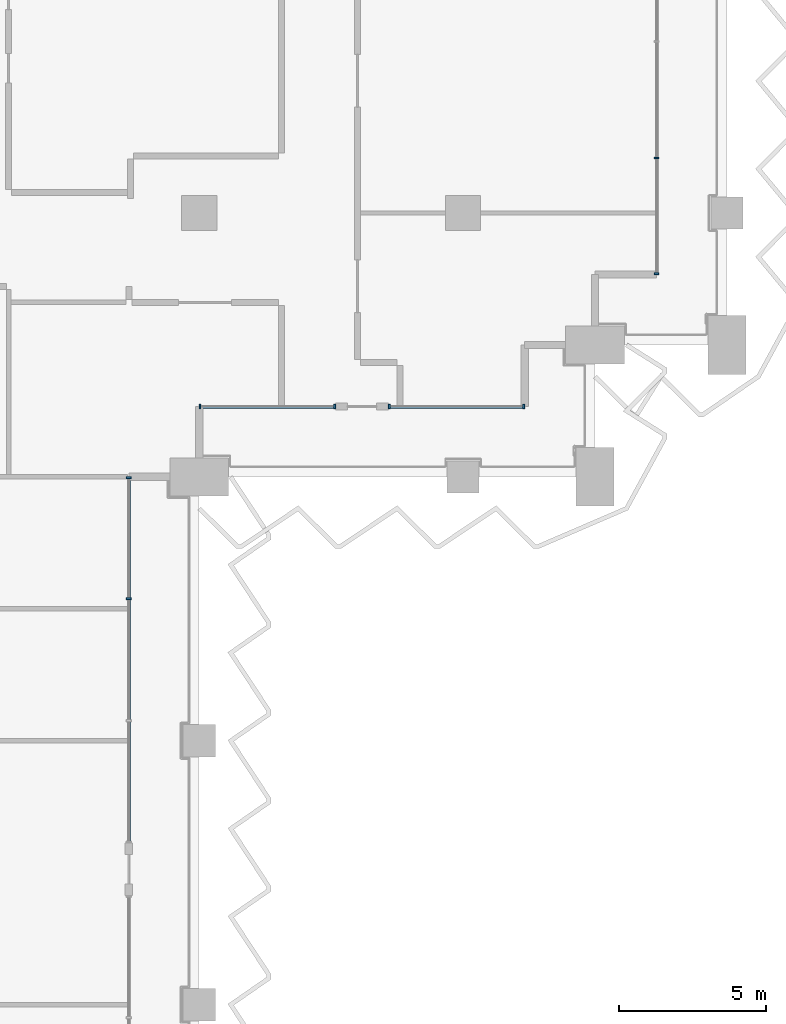
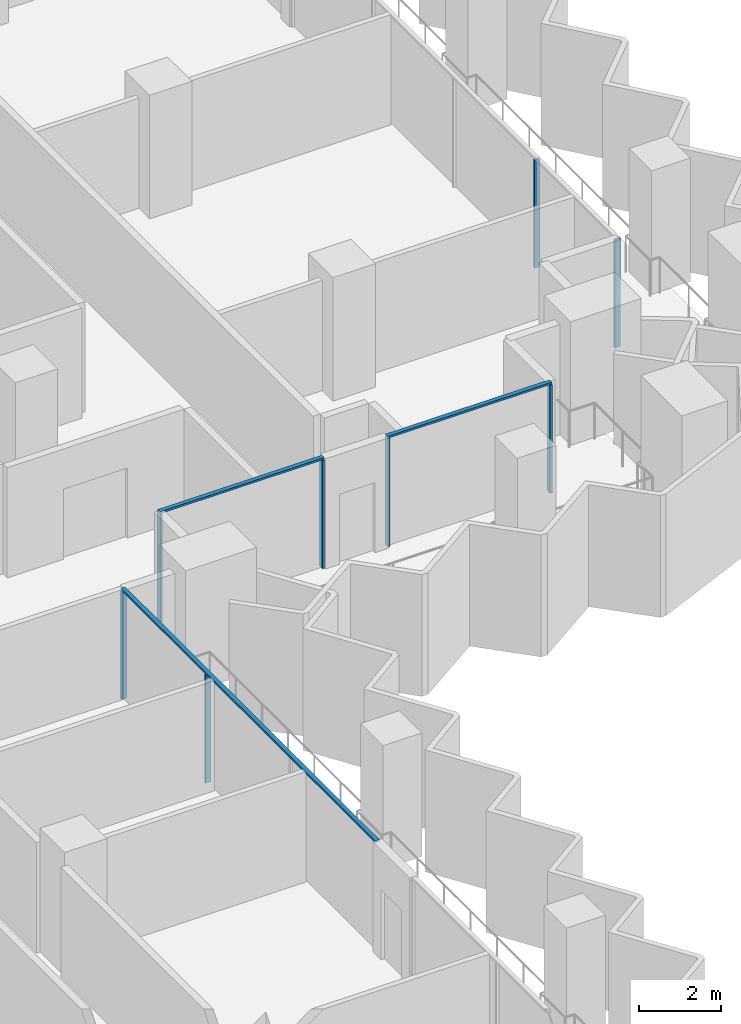
# One storey, part 4 of 22: 11 members, 4 elements without a shape of their own.
"""IFC4 building model written with IfcOpenShell, lengths in metres."""

from ifc_helpers import new_model, si_unit, direction, frame, origin, origin_2d, place, context, subcontext, project, spatial, rectangle, extrude, material, material_profile, profile_set, type_object, element, aggregate, save


model = new_model("IFC4")

# Units and contexts
model_context = context("Model", 3, precision=1e-05, world=origin(), true_north=direction((0.0, 1.0)))
body_context = subcontext(model_context, "Body", "Model", "MODEL_VIEW")
ifc_project = project(units=[si_unit("LENGTHUNIT", "METRE"), si_unit("AREAUNIT", "SQUARE_METRE"), si_unit("VOLUMEUNIT", "CUBIC_METRE"), si_unit("PLANEANGLEUNIT", "RADIAN"), si_unit("MASSUNIT", "GRAM", prefix="KILO")], contexts=[model_context])

# Site, building, storey
site_placement = place(None, origin())
site = spatial("IfcSite", under=ifc_project, at=site_placement, CompositionType="ELEMENT")
building_placement = place(site_placement, origin())
building = spatial("IfcBuilding", under=site, at=building_placement, Name="Hunhe Ridgeline Campus", CompositionType="ELEMENT")
storey_placement = place(building_placement, frame((0.0, 0.0, 133.800048828125)))
storey = spatial("IfcBuildingStorey", under=building, at=storey_placement, Name="L33", CompositionType="ELEMENT", Elevation=133.800048828125)

# Curtain wall, members
ifc_material = material(Name="Aluminium 6063", Category="aluminium")
curtain_wall_type = type_object("IfcCurtainWallType", Name="Curtain wall CW-1", PredefinedType="NOTDEFINED", material=ifc_material)
curtain_wall_1_placement = place(storey_placement, origin())
curtain_wall_1 = element("IfcCurtainWall", 1, at=curtain_wall_1_placement, inside=storey, type_object=curtain_wall_type, Name="Curtain wall 12", PredefinedType="NOTDEFINED")
ifc_material_profile_1 = material_profile(ifc_material, rectangle(XDim=0.159912109375, YDim=0.06005859375, at=origin_2d()))
ifc_profile_set_1 = profile_set([ifc_material_profile_1], Name="Aluminium 6063")
member_type_1 = type_object("IfcMemberType", Name="CW-1 aluminium mullion", PredefinedType="MULLION", material=ifc_profile_set_1)
member_1_placement = place(storey_placement, frame((42.59912109375, 49.83984375, 0.0), z_axis=(0.0, 0.0, 1.0), x_axis=(-0.99999999999, 4.406345e-06, 0.0)))
member_1 = element("IfcMember", 2, at=member_1_placement, type_object=member_type_1, Name="CW-1 mullion 3", PredefinedType="MULLION", context=body_context, shape_type="SweptSolid", body=[
    extrude(rectangle(XDim=0.159912109375, YDim=0.06005859375, at=origin_2d()), origin(), (0.0, 0.0, 1.0), 3.239990234375),
])
member_2_placement = place(storey_placement, frame((42.59912109375, 53.970458984375, 0.0), z_axis=(0.0, 0.0, 1.0), x_axis=(-0.99999999999, 4.406345e-06, 0.0)))
member_2 = element("IfcMember", 3, at=member_2_placement, type_object=member_type_1, Name="CW-1 mullion 4", PredefinedType="MULLION", context=body_context, shape_type="SweptSolid", body=[
    extrude(rectangle(XDim=0.159912109375, YDim=0.06005859375, at=origin_2d()), origin(), (0.0, 0.0, 1.0), 3.239990234375),
])

curtain_wall_2_placement = place(storey_placement, origin())
curtain_wall_2 = element("IfcCurtainWall", 4, at=curtain_wall_2_placement, inside=storey, type_object=curtain_wall_type, Name="Curtain wall 13", PredefinedType="NOTDEFINED")
member_3_placement = place(storey_placement, frame((45.02978515625, 56.40087890625, 0.0), z_axis=(0.0, 0.0, 1.0), x_axis=(-1.72058e-06, 0.999999999999, 0.0)))
member_3 = element("IfcMember", 5, at=member_3_placement, type_object=member_type_1, Name="CW-1 mullion 1", PredefinedType="MULLION", context=body_context, shape_type="SweptSolid", body=[
    extrude(rectangle(XDim=0.159912109375, YDim=0.06005859375, at=origin_2d()), origin(), (0.0, 0.0, 1.0), 3.239990234375),
])
member_4_placement = place(storey_placement, frame((49.619384765625, 56.40087890625, 0.0), z_axis=(0.0, 0.0, 1.0), x_axis=(-1.72058e-06, 0.999999999999, 0.0)))
member_4 = element("IfcMember", 6, at=member_4_placement, type_object=member_type_1, Name="CW-1 mullion 2", PredefinedType="MULLION", context=body_context, shape_type="SweptSolid", body=[
    extrude(rectangle(XDim=0.159912109375, YDim=0.06005859375, at=origin_2d()), origin(), (0.0, 0.0, 1.0), 3.239990234375),
])

curtain_wall_3_placement = place(storey_placement, origin())
curtain_wall_3 = element("IfcCurtainWall", 7, at=curtain_wall_3_placement, inside=storey, type_object=curtain_wall_type, Name="Curtain wall 14", PredefinedType="NOTDEFINED")
member_5_placement = place(storey_placement, frame((51.4794921875, 56.40087890625, 0.0), z_axis=(0.0, 0.0, 1.0), x_axis=(-1.72058e-06, 0.999999999999, 0.0)))
member_5 = element("IfcMember", 8, at=member_5_placement, type_object=member_type_1, Name="CW-1 mullion 1", PredefinedType="MULLION", context=body_context, shape_type="SweptSolid", body=[
    extrude(rectangle(XDim=0.159912109375, YDim=0.06005859375, at=origin_2d()), origin(), (0.0, 0.0, 1.0), 3.239990234375),
])
member_6_placement = place(storey_placement, frame((56.069091796875, 56.40087890625, 0.0), z_axis=(0.0, 0.0, 1.0), x_axis=(-1.72058e-06, 0.999999999999, 0.0)))
member_6 = element("IfcMember", 9, at=member_6_placement, type_object=member_type_1, Name="CW-1 mullion 2", PredefinedType="MULLION", context=body_context, shape_type="SweptSolid", body=[
    extrude(rectangle(XDim=0.159912109375, YDim=0.06005859375, at=origin_2d()), origin(), (0.0, 0.0, 1.0), 3.239990234375),
])

curtain_wall_4_placement = place(storey_placement, origin())
curtain_wall_4 = element("IfcCurtainWall", 10, at=curtain_wall_4_placement, inside=storey, type_object=curtain_wall_type, Name="Curtain wall 15", PredefinedType="NOTDEFINED")
member_7_placement = place(storey_placement, frame((60.59912109375, 60.930908203125, 0.0), z_axis=(0.0, 0.0, 1.0), x_axis=(-1.0, 0.0, 0.0)))
member_7 = element("IfcMember", 11, at=member_7_placement, type_object=member_type_1, Name="CW-1 mullion 1", PredefinedType="MULLION", context=body_context, shape_type="SweptSolid", body=[
    extrude(rectangle(XDim=0.159912109375, YDim=0.06005859375, at=origin_2d()), origin(), (0.0, 0.0, 1.0), 3.239990234375),
])
member_8_placement = place(storey_placement, frame((60.59912109375, 64.8759765625, 0.0), z_axis=(0.0, 0.0, 1.0), x_axis=(-1.0, 0.0, 0.0)))
member_8 = element("IfcMember", 12, at=member_8_placement, type_object=member_type_1, Name="CW-1 mullion 2", PredefinedType="MULLION", context=body_context, shape_type="SweptSolid", body=[
    extrude(rectangle(XDim=0.159912109375, YDim=0.06005859375, at=origin_2d()), origin(), (0.0, 0.0, 1.0), 3.239990234375),
])
aggregate(curtain_wall_4, [member_7, member_8])

# Member
ifc_material_profile_2 = material_profile(ifc_material, rectangle(XDim=0.1201171875, YDim=0.06005859375, at=origin_2d()))
ifc_profile_set_2 = profile_set([ifc_material_profile_2], Name="Aluminium 6063")
member_type_2 = type_object("IfcMemberType", Name="CW-1 aluminium transom", PredefinedType="USERDEFINED", material=ifc_profile_set_2)
member_9_placement = place(storey_placement, frame((42.59912109375, 41.5185546875, 3.27001953125), z_axis=(0.0, 1.0, 0.0), x_axis=(-1.0, 0.0, 0.0)))
member_9 = element("IfcMember", 13, at=member_9_placement, type_object=member_type_2, Name="CW-1 transom 1", ObjectType="TRANSOM", PredefinedType="USERDEFINED", context=body_context, shape_type="SweptSolid", body=[
    extrude(rectangle(XDim=0.1201171875, YDim=0.06005859375, at=origin_2d()), origin(), (0.0, 0.0, 1.0), 12.48193359375),
])

aggregate(curtain_wall_1, [member_9, member_1, member_2])

member_10_placement = place(storey_placement, frame((44.999755859375, 56.40087890625, 3.27001953125), z_axis=(1.0, 0.0, 0.0), x_axis=(0.0, 1.0, 0.0)))
member_10 = element("IfcMember", 14, at=member_10_placement, type_object=member_type_2, Name="CW-1 transom 1", ObjectType="TRANSOM", PredefinedType="USERDEFINED", context=body_context, shape_type="SweptSolid", body=[
    extrude(rectangle(XDim=0.1201171875, YDim=0.06005859375, at=origin_2d()), origin(), (0.0, 0.0, 1.0), 4.649658203125),
])

aggregate(curtain_wall_2, [member_10, member_3, member_4])

member_11_placement = place(storey_placement, frame((51.449462890625, 56.40087890625, 3.27001953125), z_axis=(1.0, 0.0, 0.0), x_axis=(0.0, 1.0, 0.0)))
member_11 = element("IfcMember", 15, at=member_11_placement, type_object=member_type_2, Name="CW-1 transom 1", ObjectType="TRANSOM", PredefinedType="USERDEFINED", context=body_context, shape_type="SweptSolid", body=[
    extrude(rectangle(XDim=0.1201171875, YDim=0.06005859375, at=origin_2d()), origin(), (0.0, 0.0, 1.0), 4.649658203125),
])

aggregate(curtain_wall_3, [member_11, member_5, member_6])

save(model, "model.ifc")
